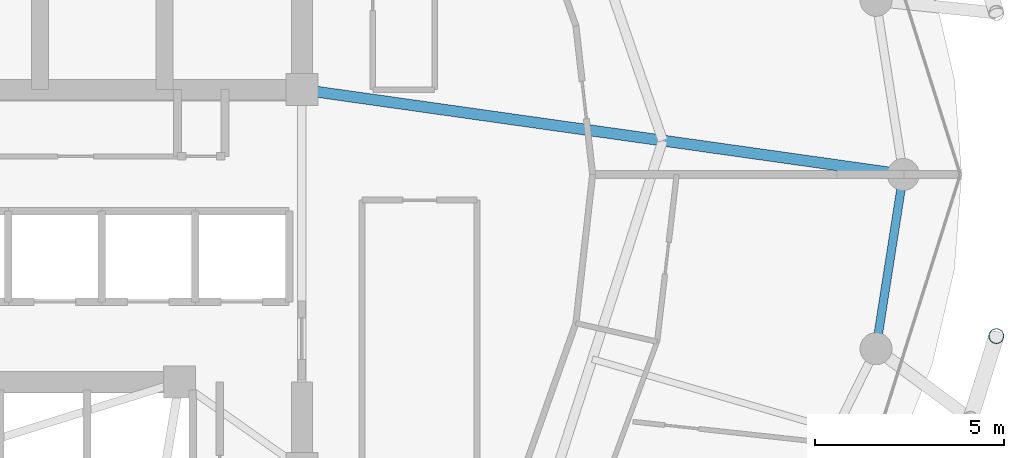
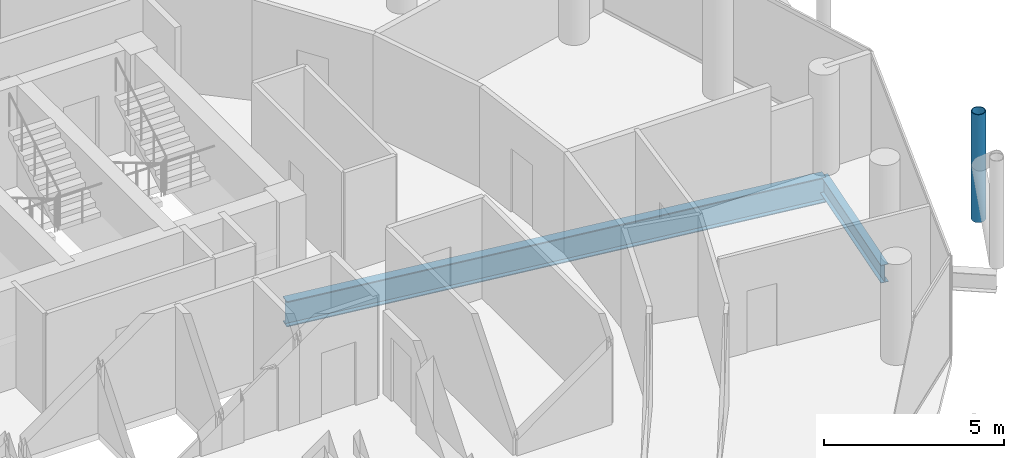
# One storey, part 14 of 27: 2 beams, 1 member.
"""IFC4 building model written with IfcOpenShell, lengths in metres."""

from ifc_helpers import new_model, si_unit, direction, frame, origin, origin_2d, place, context, subcontext, project, spatial, hollow_circle, i_section, extrude, material, material_profile, profile_set, type_object, element, save


model = new_model("IFC4")

# Units and contexts
model_context = context("Model", 3, precision=1e-05, world=origin(), true_north=direction((0.0, 1.0)))
body_context = subcontext(model_context, "Body", "Model", "MODEL_VIEW")
ifc_project = project(units=[si_unit("LENGTHUNIT", "METRE"), si_unit("AREAUNIT", "SQUARE_METRE"), si_unit("VOLUMEUNIT", "CUBIC_METRE"), si_unit("PLANEANGLEUNIT", "RADIAN"), si_unit("MASSUNIT", "GRAM", prefix="KILO")], contexts=[model_context])

# Site, building, storey
site_placement = place(None, origin())
site = spatial("IfcSite", under=ifc_project, at=site_placement, CompositionType="ELEMENT")
building_placement = place(site_placement, origin())
building = spatial("IfcBuilding", under=site, at=building_placement, Name="Nuhasar Tower", CompositionType="ELEMENT")
storey_placement = place(building_placement, frame((0.0, 0.0, 226.39990234375)))
storey = spatial("IfcBuildingStorey", under=building, at=storey_placement, Name="L55", CompositionType="ELEMENT", Elevation=226.39990234375)

# Beams
ifc_material_1 = material(Name="Steel S355", Category="steel")
ifc_material_profile_1 = material_profile(ifc_material_1, i_section(OverallWidth=0.2919921875, OverallDepth=0.85888671875, WebThickness=0.01708984375, FlangeThickness=0.031005859375, at=origin_2d()), Name="W33X169")
ifc_profile_set_1 = profile_set([ifc_material_profile_1], Name="Steel S355")
beam_type_1 = type_object("IfcBeamType", Name="BM-POD-W33X169", PredefinedType="BEAM", material=ifc_profile_set_1)
beam_1_placement = place(storey_placement, frame((44.300048828125, 29.050048828125, -0.6689453125), z_axis=(0.990196233464, -0.139683281866, 0.0), x_axis=(0.139683281866, 0.990196233464, 0.0)))
element("IfcBeam", 1, at=beam_1_placement, inside=storey, type_object=beam_type_1, Name="L55 Radial Floor Girder 04", PredefinedType="BEAM", context=body_context, shape_type="SweptSolid", body=[
    extrude(i_section(OverallWidth=0.2919921875, OverallDepth=0.85888671875, WebThickness=0.01708984375, FlangeThickness=0.031005859375, at=origin_2d()), origin(), (0.0, 0.0, 1.0), 16.10791015625),
])
ifc_material_profile_2 = material_profile(ifc_material_1, i_section(OverallWidth=0.22802734375, OverallDepth=0.60791015625, WebThickness=0.01123046875, FlangeThickness=0.017333984375, at=origin_2d()), Name="W24X76")
ifc_profile_set_2 = profile_set([ifc_material_profile_2], Name="Steel S355")
beam_type_2 = type_object("IfcBeamType", Name="BM-RING-W24X76", PredefinedType="SPANDREL", material=ifc_profile_set_2)
beam_2_placement = place(storey_placement, frame((59.52587890625, 22.179931640625, -0.5439453125), z_axis=(0.154841886404, 0.987939264436, 0.0), x_axis=(-0.987939264436, 0.154841886404, 0.0)))
element("IfcBeam", 2, at=beam_2_placement, inside=storey, type_object=beam_type_2, Name="L55 Perimeter Ring Spandrel 24", PredefinedType="SPANDREL", context=body_context, shape_type="SweptSolid", body=[
    extrude(i_section(OverallWidth=0.22802734375, OverallDepth=0.60791015625, WebThickness=0.01123046875, FlangeThickness=0.017333984375, at=origin_2d()), origin(), (0.0, 0.0, 1.0), 4.676513671875),
])

# Member
ifc_material_2 = material(Name="Steel S460", Category="steel")
ifc_material_profile_3 = material_profile(ifc_material_2, hollow_circle(Radius=0.203125, WallThickness=0.01904296875, at=origin_2d()), Name="HSS406.4X19.1")
ifc_profile_set_3 = profile_set([ifc_material_profile_3], Name="Steel S460")
member_type = type_object("IfcMemberType", Name="EXO-BRONZE-406", PredefinedType="BRACE", material=ifc_profile_set_3)
member_placement = place(storey_placement, frame((62.718017578125, 22.513916015625, 0.0), z_axis=(0.0, 0.0, 1.0), x_axis=(1.0, 0.0, 0.0)))
element("IfcMember", 3, at=member_placement, inside=storey, type_object=member_type, Name="L55 Exoskeleton Chord Column EC-12B", PredefinedType="BRACE", context=body_context, shape_type="SweptSolid", body=[
    extrude(hollow_circle(Radius=0.203125, WallThickness=0.01904296875, at=origin_2d()), origin(), (0.0, 0.0, 1.0), 3.650146484375),
])

save(model, "model.ifc")
